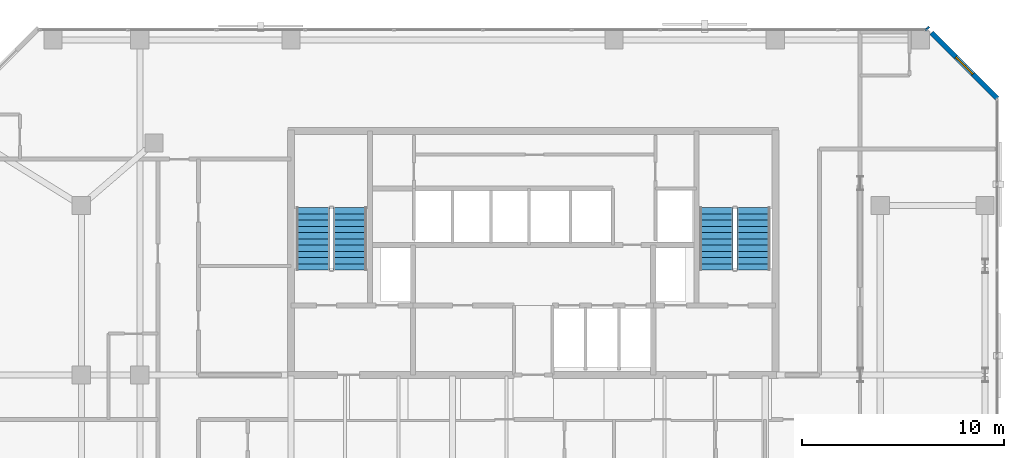
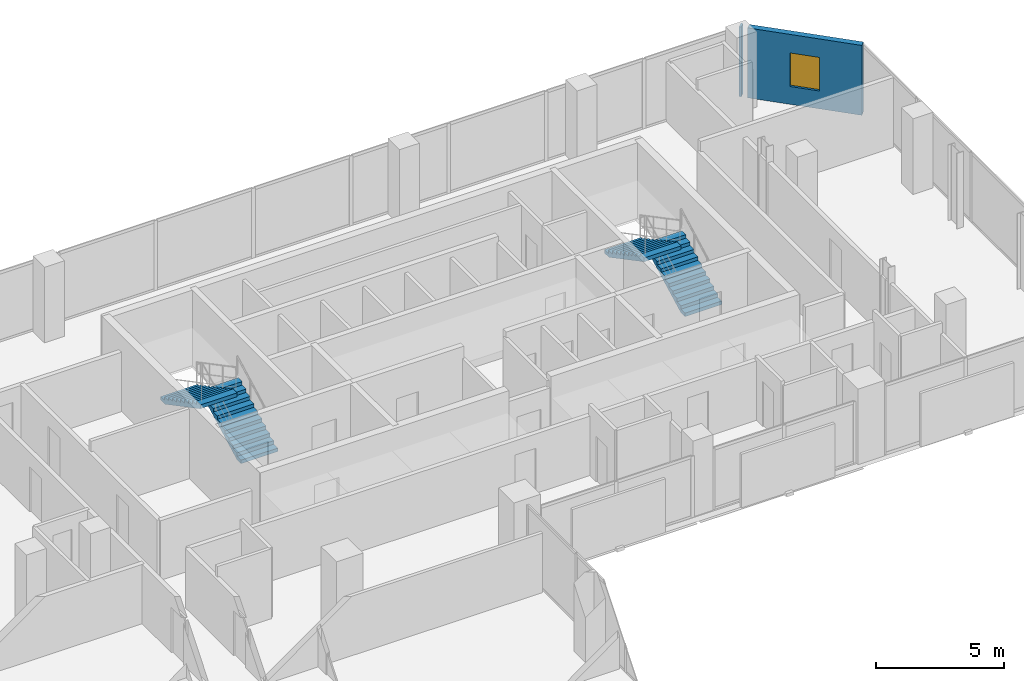
# One storey, part 31 of 34: 4 stair flights, 2 walls, 1 window, 1 opening, 2 elements without a shape of their own.
"""IFC4 building model written with IfcOpenShell, lengths in metres."""

from ifc_helpers import new_model, si_unit, direction, frame, frame_2d, origin, place, context, subcontext, project, spatial, polyline, rectangle, outline, extrude, material, layer, layer_set, type_object, element, fill, aggregate, save


model = new_model("IFC4")

# Units and contexts
model_context = context("Model", 3, precision=1e-05, world=origin(), true_north=direction((0.0, 1.0)))
body_context = subcontext(model_context, "Body", "Model", "MODEL_VIEW")
ifc_project = project(units=[si_unit("LENGTHUNIT", "METRE"), si_unit("AREAUNIT", "SQUARE_METRE"), si_unit("VOLUMEUNIT", "CUBIC_METRE"), si_unit("PLANEANGLEUNIT", "RADIAN"), si_unit("MASSUNIT", "GRAM", prefix="KILO")], contexts=[model_context])

# Site, building, storey
site_placement = place(None, origin())
site = spatial("IfcSite", under=ifc_project, at=site_placement, CompositionType="ELEMENT")
building_placement = place(site_placement, origin())
building = spatial("IfcBuilding", under=site, at=building_placement, Name="Catumbela Crestline Tower", CompositionType="ELEMENT")
storey_placement = place(building_placement, frame((0.0, 0.0, 97.2)))
storey = spatial("IfcBuildingStorey", under=building, at=storey_placement, Name="L24", CompositionType="ELEMENT", Elevation=97.2)

# Wall, opening, window
ifc_material_1 = material(Name="Angolan grey-ochre granite", Category="masonry")
ifc_layer = layer(ifc_material_1, 0.25, Name="Angolan grey-ochre granite")
ifc_layer_set = layer_set([ifc_layer], Name="Angolan grey-ochre granite")
wall_type = type_object("IfcWallType", Name="WE-250", PredefinedType="STANDARD", material=ifc_layer_set)
wall_1_placement = place(storey_placement, frame((51.0, 44.5, 0.0), z_axis=(0.0, 0.0, 1.0), x_axis=(-0.707106781187, 0.707106781187, 0.0)))
wall_1 = element("IfcWall", 1, at=wall_1_placement, inside=storey, type_object=wall_type, Name="L24 Granite Punched Window Wall 6-1", PredefinedType="STANDARD", context=body_context, shape_type="SweptSolid", body=[
    extrude(rectangle(XDim=4.6126, YDim=0.25, at=frame_2d((2.3063, 0.0))), origin(), (0.0, 0.0, 1.0), 3.33),
])
opening_placement = place(wall_1_placement, frame((1.7063, 0.0, 0.85)))
opening = element("IfcOpeningElement", 2, at=opening_placement, cuts=wall_1, Name="Opening WN-02", PredefinedType="OPENING", context=body_context, shape_type="SweptSolid", body=[
    extrude(rectangle(XDim=1.2, YDim=1.6, at=frame_2d((0.6, 0.8))), frame((0.0, 0.135, 0.0), z_axis=(0.0, -1.0, 0.0), x_axis=(1.0, 0.0, 0.0)), (0.0, 0.0, 1.0), 0.27),
])
ifc_material_2 = material(Name="Low-E laminated solar-control double glazing", Category="glass")
window_type = type_object("IfcWindowType", Name="WO-1200", PartitioningType="SINGLE_PANEL", PredefinedType="WINDOW", material=ifc_material_2)
window_placement = place(opening_placement, origin())
window = element("IfcWindow", 3, at=window_placement, inside=storey, type_object=window_type, Name="L24 Facade Vision Window 142", OverallHeight=1.6, OverallWidth=1.2, PartitioningType="SINGLE_PANEL", PredefinedType="WINDOW", context=body_context, shape_type="SweptSolid", body=[
    extrude(rectangle(XDim=1.2, YDim=1.6, at=frame_2d((0.6, 0.8))), frame((0.0, 0.03, 0.0), z_axis=(0.0, -1.0, 0.0), x_axis=(1.0, 0.0, 0.0)), (0.0, 0.0, 1.0), 0.06),
])
fill(opening, window)

# Wall
wall_2_placement = place(storey_placement, frame((47.5616, 47.9384, 0.0), z_axis=(0.0, 0.0, 1.0), x_axis=(-0.707106781187, 0.707106781187, 0.0)))
element("IfcWall", 4, at=wall_2_placement, inside=storey, type_object=wall_type, Name="L24 Granite Punched Window Wall 6-2", PredefinedType="STANDARD", context=body_context, shape_type="SweptSolid", body=[
    extrude(rectangle(XDim=0.0871, YDim=0.25, at=frame_2d((0.0436, 0.0))), origin(), (0.0, 0.0, 1.0), 3.33),
])

# Stair, stair flights
ifc_material_3 = material(Name="Concrete C45/55", Category="concrete")
stair_type = type_object("IfcStairType", Name="ST-DLG", PredefinedType="HALF_TURN_STAIR", material=ifc_material_3)
stair_1_placement = place(storey_placement, origin())
stair_1 = element("IfcStair", 5, at=stair_1_placement, inside=storey, type_object=stair_type, Name="L24 West Core Pressurised Exit Stair ST-01", PredefinedType="HALF_TURN_STAIR")
stair_flight_type = type_object("IfcStairFlightType", Name="SF-1636", PredefinedType="STRAIGHT", material=ifc_material_3)
stair_flight_1_placement = place(storey_placement, frame((18.92, 36.0, 0.0), z_axis=(0.0, 0.0, 1.0), x_axis=(0.0, 1.0, 0.0)))
stair_flight_1 = element("IfcStairFlight", 6, at=stair_flight_1_placement, type_object=stair_flight_type, Name="ST-01 flight 1", NumberOfRisers=11, NumberOfTreads=10, PredefinedType="STRAIGHT", RiserHeight=0.163636364, TreadLength=0.31, context=body_context, shape_type="SweptSolid", body=[
    extrude(outline(polyline([(0.0, 0.0), (0.0, 0.1636), (0.31, 0.1636), (0.31, 0.3273), (0.62, 0.3273), (0.62, 0.4909), (0.93, 0.4909), (0.93, 0.6545), (1.24, 0.6545), (1.24, 0.8182), (1.55, 0.8182), (1.55, 0.9818), (1.86, 0.9818), (1.86, 1.1455), (2.17, 1.1455), (2.17, 1.3091), (2.48, 1.3091), (2.48, 1.4727), (2.79, 1.4727), (2.79, 1.6364), (3.1, 1.6364), (3.1, 1.8), (3.1, 1.4554), (0.3427, 0.0), (0.0, 0.0)])), frame((0.0, 0.83, 0.0), z_axis=(0.0, -1.0, 0.0), x_axis=(1.0, 0.0, 0.0)), (0.0, 0.0, 1.0), 1.66),
])
stair_flight_2_placement = place(storey_placement, frame((17.08, 39.1, 1.8), z_axis=(0.0, 0.0, 1.0), x_axis=(0.0, -1.0, 0.0)))
stair_flight_2 = element("IfcStairFlight", 7, at=stair_flight_2_placement, type_object=stair_flight_type, Name="ST-01 flight 2", NumberOfRisers=11, NumberOfTreads=10, PredefinedType="STRAIGHT", RiserHeight=0.163636364, TreadLength=0.31, context=body_context, shape_type="SweptSolid", body=[
    extrude(outline(polyline([(0.0, 0.0), (0.0, 0.1636), (0.31, 0.1636), (0.31, 0.3273), (0.62, 0.3273), (0.62, 0.4909), (0.93, 0.4909), (0.93, 0.6545), (1.24, 0.6545), (1.24, 0.8182), (1.55, 0.8182), (1.55, 0.9818), (1.86, 0.9818), (1.86, 1.1455), (2.17, 1.1455), (2.17, 1.3091), (2.48, 1.3091), (2.48, 1.4727), (2.79, 1.4727), (2.79, 1.6364), (3.1, 1.6364), (3.1, 1.8), (3.1, 1.4554), (0.3427, 0.0), (0.0, 0.0)])), frame((0.0, 0.83, 0.0), z_axis=(0.0, -1.0, 0.0), x_axis=(1.0, 0.0, 0.0)), (0.0, 0.0, 1.0), 1.66),
])
aggregate(stair_1, [stair_flight_1, stair_flight_2])

stair_2_placement = place(storey_placement, origin())
stair_2 = element("IfcStair", 8, at=stair_2_placement, inside=storey, type_object=stair_type, Name="L24 East Core Pressurised Exit Stair ST-02", PredefinedType="HALF_TURN_STAIR")
stair_flight_3_placement = place(storey_placement, frame((38.92, 36.0, 0.0), z_axis=(0.0, 0.0, 1.0), x_axis=(0.0, 1.0, 0.0)))
stair_flight_3 = element("IfcStairFlight", 9, at=stair_flight_3_placement, type_object=stair_flight_type, Name="ST-02 flight 1", NumberOfRisers=11, NumberOfTreads=10, PredefinedType="STRAIGHT", RiserHeight=0.163636364, TreadLength=0.31, context=body_context, shape_type="SweptSolid", body=[
    extrude(outline(polyline([(0.0, 0.0), (0.0, 0.1636), (0.31, 0.1636), (0.31, 0.3273), (0.62, 0.3273), (0.62, 0.4909), (0.93, 0.4909), (0.93, 0.6545), (1.24, 0.6545), (1.24, 0.8182), (1.55, 0.8182), (1.55, 0.9818), (1.86, 0.9818), (1.86, 1.1455), (2.17, 1.1455), (2.17, 1.3091), (2.48, 1.3091), (2.48, 1.4727), (2.79, 1.4727), (2.79, 1.6364), (3.1, 1.6364), (3.1, 1.8), (3.1, 1.4554), (0.3427, 0.0), (0.0, 0.0)])), frame((0.0, 0.83, 0.0), z_axis=(0.0, -1.0, 0.0), x_axis=(1.0, 0.0, 0.0)), (0.0, 0.0, 1.0), 1.66),
])
stair_flight_4_placement = place(storey_placement, frame((37.08, 39.1, 1.8), z_axis=(0.0, 0.0, 1.0), x_axis=(0.0, -1.0, 0.0)))
stair_flight_4 = element("IfcStairFlight", 10, at=stair_flight_4_placement, type_object=stair_flight_type, Name="ST-02 flight 2", NumberOfRisers=11, NumberOfTreads=10, PredefinedType="STRAIGHT", RiserHeight=0.163636364, TreadLength=0.31, context=body_context, shape_type="SweptSolid", body=[
    extrude(outline(polyline([(0.0, 0.0), (0.0, 0.1636), (0.31, 0.1636), (0.31, 0.3273), (0.62, 0.3273), (0.62, 0.4909), (0.93, 0.4909), (0.93, 0.6545), (1.24, 0.6545), (1.24, 0.8182), (1.55, 0.8182), (1.55, 0.9818), (1.86, 0.9818), (1.86, 1.1455), (2.17, 1.1455), (2.17, 1.3091), (2.48, 1.3091), (2.48, 1.4727), (2.79, 1.4727), (2.79, 1.6364), (3.1, 1.6364), (3.1, 1.8), (3.1, 1.4554), (0.3427, 0.0), (0.0, 0.0)])), frame((0.0, 0.83, 0.0), z_axis=(0.0, -1.0, 0.0), x_axis=(1.0, 0.0, 0.0)), (0.0, 0.0, 1.0), 1.66),
])
aggregate(stair_2, [stair_flight_3, stair_flight_4])

save(model, "model.ifc")
